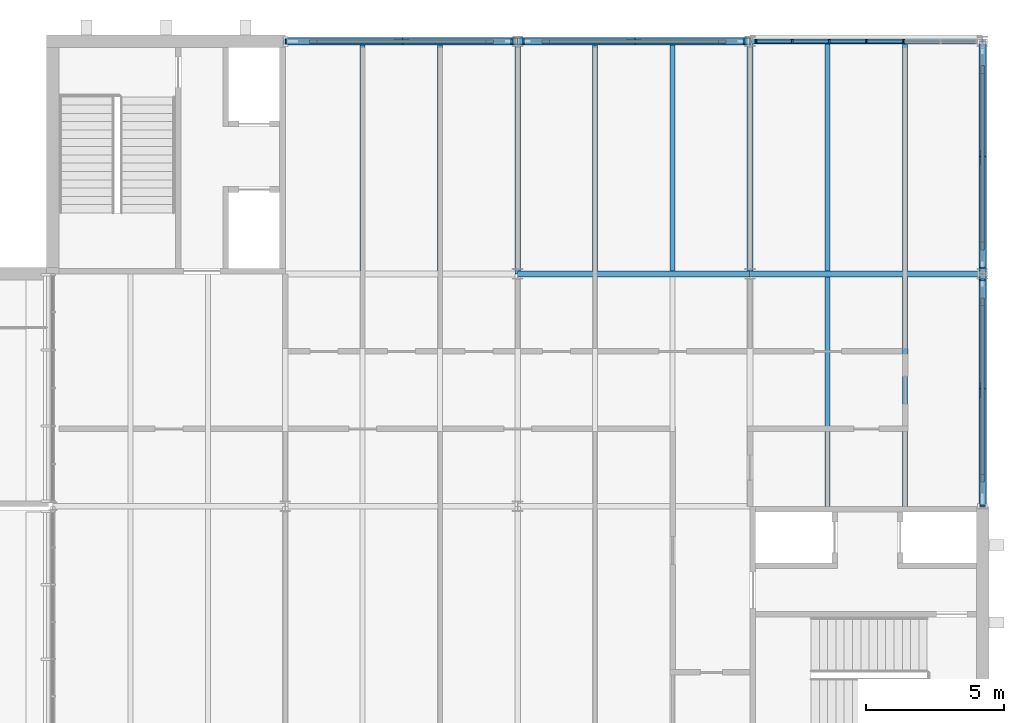
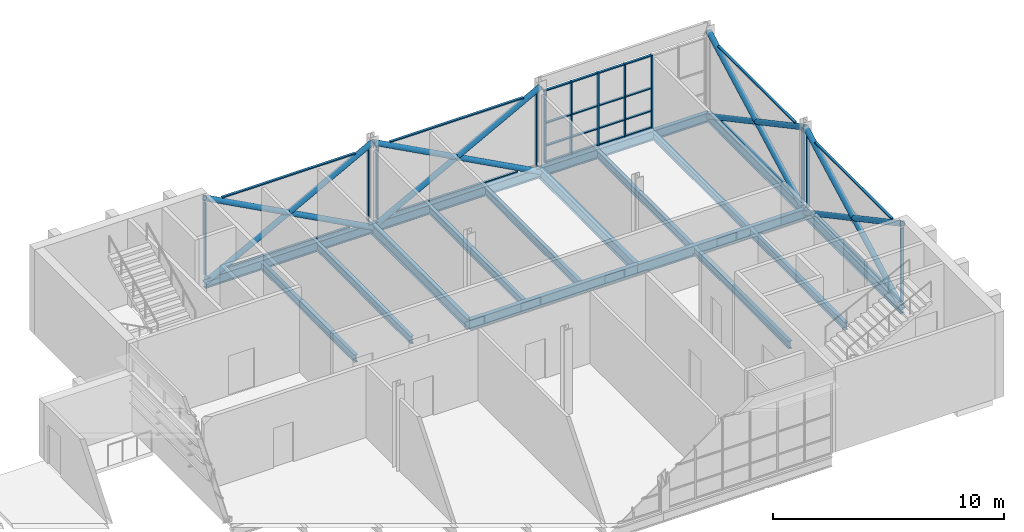
# One storey, part 12 of 29: 48 members, 17 beams, 5 elements without a shape of their own.
"""IFC4 building model written with IfcOpenShell, lengths in metres."""

import ifcopenshell
import ifcopenshell.guid

model = None  # the IFC model being written
_history = None  # IfcOwnerHistory: only IFC2X3 demands one
_inside = {}  # id of a spatial element -> (the spatial element, [elements in it])
_under = {}  # id of a project, library or spatial element -> (it, [spatial elements below it])
_declared = {}  # id of a project -> (the project, [libraries it declares])
_typed = {}  # id of a type object -> (the type object, [elements of that type])
_made_of = {}  # id of a material, layer set ... -> (it, [elements and type objects made of it])


def new_model(schema):
    """Start an empty IFC model of exactly this schema.

    Asked for "IFC4X3", IfcOpenShell would pick the latest addendum, in which some entities
    have other attributes; the version numbers below select the first issue.
    IFC2X3 requires an IfcOwnerHistory on every rooted entity: one is made here for all.
    """
    global model, _history
    if schema == "IFC4X3":
        model = ifcopenshell.file(schema_version=(4, 3, 0, 0))
    else:
        model = ifcopenshell.file(schema=schema)
    _inside.clear()
    _under.clear()
    _declared.clear()
    _typed.clear()
    _made_of.clear()
    _history = None
    if model.schema == "IFC2X3":
        org = make("IfcOrganization", Name="unknown")
        user = make(
            "IfcPersonAndOrganization",
            ThePerson=make("IfcPerson", FamilyName="unknown"),
            TheOrganization=org,
        )
        app = make(
            "IfcApplication",
            ApplicationDeveloper=org,
            Version="unknown",
            ApplicationFullName="unknown",
            ApplicationIdentifier="unknown",
        )
        _history = make(
            "IfcOwnerHistory",
            OwningUser=user,
            OwningApplication=app,
            ChangeAction="ADDED",
            CreationDate=0,
        )
    return model


def make(cls, **values):
    """One entity of the class cls with the attributes given. An attribute that is None is left unset."""
    return model.create_entity(
        cls, **{name: value for name, value in values.items() if value is not None}
    )


def rooted(cls, **values):
    """An entity with a GlobalId (a new one), such as an element, a storey or a relation."""
    return make(cls, GlobalId=ifcopenshell.guid.new(), OwnerHistory=_history, **values)


def si_unit(unit_type, name, prefix=None):
    """IfcSIUnit, for example si_unit("LENGTHUNIT", "METRE", prefix="MILLI")."""
    return make("IfcSIUnit", UnitType=unit_type, Prefix=prefix, Name=name)


def assignment(units):
    """IfcUnitAssignment: the units of a project."""
    return None if units is None else make("IfcUnitAssignment", Units=units)


def point(xyz):
    """IfcCartesianPoint."""
    return None if xyz is None else make("IfcCartesianPoint", Coordinates=xyz)


def direction(xyz):
    """IfcDirection."""
    return None if xyz is None else make("IfcDirection", DirectionRatios=xyz)


def frame(location, z_axis=None, x_axis=None):
    """IfcAxis2Placement3D, a coordinate frame: its origin and axes. An axis left out is left unset."""
    return make(
        "IfcAxis2Placement3D",
        Location=point(location),
        Axis=direction(z_axis),
        RefDirection=direction(x_axis),
    )


def frame_2d(location, x_axis=None):
    """IfcAxis2Placement2D, a coordinate frame in the plane: its origin and x axis."""
    return make(
        "IfcAxis2Placement2D", Location=point(location), RefDirection=direction(x_axis)
    )


def origin():
    """The frame at (0, 0, 0) with its axes left unset."""
    return frame((0.0, 0.0, 0.0))


def origin_2d():
    """The frame at (0, 0) in the plane with its x axis left unset."""
    return frame_2d((0.0, 0.0))


def place(relative_to, where):
    """IfcLocalPlacement: puts the frame where relative to a parent placement (None: the world)."""
    return make(
        "IfcLocalPlacement", PlacementRelTo=relative_to, RelativePlacement=where
    )


def context(
    kind, dimensions, precision=None, world=None, true_north=None, identifier=None
):
    """IfcGeometricRepresentationContext, for example the 3D "Model" context."""
    return make(
        "IfcGeometricRepresentationContext",
        ContextIdentifier=identifier,
        ContextType=kind,
        CoordinateSpaceDimension=dimensions,
        Precision=precision,
        WorldCoordinateSystem=world,
        TrueNorth=true_north,
    )


def subcontext(parent, identifier, kind, view, scale=None):
    """IfcGeometricRepresentationSubContext, for example "Body" below "Model"."""
    return make(
        "IfcGeometricRepresentationSubContext",
        ContextIdentifier=identifier,
        ContextType=kind,
        ParentContext=parent,
        TargetScale=scale,
        TargetView=view,
    )


def project(units=None, contexts=None):
    """IfcProject with its units and contexts."""
    return rooted(
        "IfcProject",
        Name="project",
        RepresentationContexts=contexts,
        UnitsInContext=assignment(units),
    )


def spatial(cls, under=None, at=None, **own):
    """A site, building, storey or space (cls), placed at a placement, below another one or the project."""
    s = rooted(cls, ObjectPlacement=at, **own)
    if under is not None:
        _under.setdefault(under.id(), (under, []))[1].append(s)
    return s


def profile(cls, at=None, kind="AREA", **sizes):
    """A parametric profile (cls). Its sizes go by their IFC names, for example OverallWidth=200.0."""
    return make(cls, ProfileType=kind, Position=at, **sizes)


def rectangle(**sizes):
    """IfcRectangleProfileDef."""
    return profile("IfcRectangleProfileDef", **sizes)


def hollow_circle(**sizes):
    """IfcCircleHollowProfileDef."""
    return profile("IfcCircleHollowProfileDef", **sizes)


def i_section(**sizes):
    """IfcIShapeProfileDef."""
    return profile("IfcIShapeProfileDef", **sizes)


def extrude(swept, where, along, depth):
    """IfcExtrudedAreaSolid: the profile swept, set in the frame where, extruded along a direction by depth."""
    return make(
        "IfcExtrudedAreaSolid",
        SweptArea=swept,
        Position=where,
        ExtrudedDirection=direction(along),
        Depth=depth,
    )


def shape(context_of_items, identifier, shape_type, items):
    """IfcShapeRepresentation: the items that make up one representation, for example the "Body"."""
    return make(
        "IfcShapeRepresentation",
        ContextOfItems=context_of_items,
        RepresentationIdentifier=identifier,
        RepresentationType=shape_type,
        Items=items,
    )


def material(Name=None, Category=None):
    """IfcMaterial."""
    return make("IfcMaterial", Name=Name, Category=Category)


def layer(
    of_material, thickness, ventilated=None, Name=None, Category=None, Priority=None
):
    """IfcMaterialLayer: one layer of a wall or slab, of a material (None: an air gap)."""
    return make(
        "IfcMaterialLayer",
        Material=of_material,
        LayerThickness=thickness,
        IsVentilated=ventilated,
        Name=Name,
        Category=Category,
        Priority=Priority,
    )


def layer_set(layers, Name=None):
    """IfcMaterialLayerSet."""
    return make("IfcMaterialLayerSet", MaterialLayers=layers, LayerSetName=Name)


def material_profile(
    of_material, cross_section, Name=None, Category=None, Priority=None
):
    """IfcMaterialProfile: a cross section and its material."""
    return make(
        "IfcMaterialProfile",
        Name=Name,
        Material=of_material,
        Profile=cross_section,
        Priority=Priority,
        Category=Category,
    )


def profile_set(profiles, Name=None, composite=None):
    """IfcMaterialProfileSet."""
    return make(
        "IfcMaterialProfileSet",
        Name=Name,
        MaterialProfiles=profiles,
        CompositeProfile=composite,
    )


def made_of(thing, what):
    """Note that an element or type object is made of a material, layer set ...; save() writes the relation."""
    if what is not None:
        _made_of.setdefault(what.id(), (what, []))[1].append(thing)
    return thing


def type_object(cls, material=None, **own):
    """A type object (cls), such as IfcWallType, which elements share."""
    return made_of(rooted(cls, **own), material)


def element(
    cls,
    number,
    at=None,
    inside=None,
    cuts=None,
    type_object=None,
    material=None,
    context=None,
    identifier="Body",
    shape_type=None,
    held_by="IfcProductDefinitionShape",
    body=None,
    shapes=None,
    **own,
):
    """One element of the class cls, such as IfcWall. Its Tag is "e" and its number.

    at: its placement. inside: the storey or other place that contains it. cuts: it is an
    opening in that element (IfcRelVoidsElement). A single representation is given by context,
    identifier, shape_type and body (its items); several are given by shapes. held_by: the class
    of the entity that holds the representations. save() writes the other relations.
    """
    e = rooted(cls, Tag="e%d" % number, ObjectPlacement=at, **own)
    if body is not None:
        shapes = [shape(context, identifier, shape_type, body)]
    if shapes is not None:
        e.Representation = make(held_by, Representations=shapes)
    if inside is not None:
        _inside.setdefault(inside.id(), (inside, []))[1].append(e)
    if cuts is not None:
        rooted(
            "IfcRelVoidsElement", RelatingBuildingElement=cuts, RelatedOpeningElement=e
        )
    if type_object is not None:
        _typed.setdefault(type_object.id(), (type_object, []))[1].append(e)
    return made_of(e, material)


def aggregate(whole, parts):
    """IfcRelAggregates: a whole, such as a stair, and the parts it consists of."""
    return rooted("IfcRelAggregates", RelatingObject=whole, RelatedObjects=parts)


def save(model, path):
    """Write the relations noted so far, then the file.

    IfcRelAggregates (storeys below a building ...), IfcRelContainedInSpatialStructure (elements
    in a storey), IfcRelDefinesByType, IfcRelAssociatesMaterial and IfcRelDeclares: one each for
    every whole, place, type object, material and project.
    """
    for whole, parts in _under.values():
        aggregate(whole, parts)
    for where, things in _inside.values():
        rooted(
            "IfcRelContainedInSpatialStructure",
            RelatedElements=things,
            RelatingStructure=where,
        )
    for kind, things in _typed.values():
        rooted("IfcRelDefinesByType", RelatedObjects=things, RelatingType=kind)
    for what, things in _made_of.values():
        rooted("IfcRelAssociatesMaterial", RelatedObjects=things, RelatingMaterial=what)
    for by, libraries in _declared.values():
        rooted("IfcRelDeclares", RelatingContext=by, RelatedDefinitions=libraries)
    model.write(path)


model = new_model("IFC4")

# Units and contexts
model_context = context("Model", 3, precision=1e-05, world=origin(), true_north=direction((0.0, 1.0)))
body_context = subcontext(model_context, "Body", "Model", "MODEL_VIEW")
ifc_project = project(units=[si_unit("LENGTHUNIT", "METRE"), si_unit("AREAUNIT", "SQUARE_METRE"), si_unit("VOLUMEUNIT", "CUBIC_METRE"), si_unit("PLANEANGLEUNIT", "RADIAN"), si_unit("MASSUNIT", "GRAM", prefix="KILO")], contexts=[model_context])

# Site, building, storey
site_placement = place(None, origin())
site = spatial("IfcSite", under=ifc_project, at=site_placement, CompositionType="ELEMENT")
building_placement = place(site_placement, origin())
building = spatial("IfcBuilding", under=site, at=building_placement, Name="Ardhachandra Cancer Care Centre", CompositionType="ELEMENT")
storey_placement = place(building_placement, frame((0.0, 0.0, 13.5)))
storey = spatial("IfcBuildingStorey", under=building, at=storey_placement, Name="L03", CompositionType="ELEMENT", Elevation=13.5)

# Beams
ifc_material_1 = material(Name="Steel E350 (IS 2062)", Category="steel")
ifc_material_profile_1 = material_profile(ifc_material_1, i_section(OverallWidth=0.179931640625, OverallDepth=0.39990234375, WebThickness=0.008544921875, FlangeThickness=0.013427734375, FilletRadius=0.02099609375, at=origin_2d()), Name="NPB 400x180x66.30")
ifc_profile_set_1 = profile_set([ifc_material_profile_1], Name="Steel E350 (IS 2062)")
beam_type_1 = type_object("IfcBeamType", Name="Beam NPB 400x180x66.30", PredefinedType="BEAM", material=ifc_profile_set_1)
for number, where, z_axis, x_axis, name in (
    (1, (122.800048828125, 96.705078125, -0.35009765625), (0.0, 1.0, 0.0), (-1.0, 0.0, 0.0), "Secondary L14-M14@2800"),
    (2, (125.60009765625, 96.705078125, -0.35009765625), (0.0, 1.0, 0.0), (-1.0, 0.0, 0.0), "Secondary L14-M14@5600"),
    (3, (131.199951171875, 96.705078125, -0.35009765625), (0.0, 1.0, 0.0), (-1.0, 0.0, 0.0), "Secondary L15-M15@2800"),
    (4, (134.0, 96.705078125, -0.35009765625), (0.0, 1.0, 0.0), (-1.0, 0.0, 0.0), "Secondary L15-M15@5600"),
):
    element("IfcBeam", number, at=place(storey_placement, frame(where, z_axis=z_axis, x_axis=x_axis)), inside=storey, type_object=beam_type_1, Name=name, PredefinedType="BEAM", context=body_context, shape_type="SweptSolid", body=[
        extrude(i_section(OverallWidth=0.179931640625, OverallDepth=0.39990234375, WebThickness=0.008544921875, FlangeThickness=0.013427734375, FilletRadius=0.02099609375, at=origin_2d()), origin(), (0.0, 0.0, 1.0), 8.19482421875),
    ])
beam_1_placement = place(storey_placement, frame((139.60009765625, 88.199951171875, -0.35009765625), z_axis=(0.0, 1.0, 0.0), x_axis=(-1.0, 0.0, 0.0)))
element("IfcBeam", 5, at=beam_1_placement, inside=storey, type_object=beam_type_1, Name="Secondary K16-L16@2800", PredefinedType="BEAM", context=body_context, shape_type="SweptSolid", body=[
    extrude(i_section(OverallWidth=0.179931640625, OverallDepth=0.39990234375, WebThickness=0.008544921875, FlangeThickness=0.013427734375, FilletRadius=0.02099609375, at=origin_2d()), origin(), (0.0, 0.0, 1.0), 8.295166015625),
])
beam_2_placement = place(storey_placement, frame((139.60009765625, 96.705078125, -0.35009765625), z_axis=(0.0, 1.0, 0.0), x_axis=(-1.0, 0.0, 0.0)))
element("IfcBeam", 6, at=beam_2_placement, inside=storey, type_object=beam_type_1, Name="Secondary L16-M16@2800", PredefinedType="BEAM", context=body_context, shape_type="SweptSolid", body=[
    extrude(i_section(OverallWidth=0.179931640625, OverallDepth=0.39990234375, WebThickness=0.008544921875, FlangeThickness=0.013427734375, FilletRadius=0.02099609375, at=origin_2d()), origin(), (0.0, 0.0, 1.0), 8.19482421875),
])
beam_3_placement = place(storey_placement, frame((142.39990234375, 88.199951171875, -0.35009765625), z_axis=(0.0, 1.0, 0.0), x_axis=(-1.0, 0.0, 0.0)))
element("IfcBeam", 7, at=beam_3_placement, inside=storey, type_object=beam_type_1, Name="Secondary K16-L16@5600", PredefinedType="BEAM", context=body_context, shape_type="SweptSolid", body=[
    extrude(i_section(OverallWidth=0.179931640625, OverallDepth=0.39990234375, WebThickness=0.008544921875, FlangeThickness=0.013427734375, FilletRadius=0.02099609375, at=origin_2d()), origin(), (0.0, 0.0, 1.0), 8.295166015625),
])
beam_4_placement = place(storey_placement, frame((142.39990234375, 96.705078125, -0.35009765625), z_axis=(0.0, 1.0, 0.0), x_axis=(-1.0, 0.0, 0.0)))
element("IfcBeam", 8, at=beam_4_placement, inside=storey, type_object=beam_type_1, Name="Secondary L16-M16@5600", PredefinedType="BEAM", context=body_context, shape_type="SweptSolid", body=[
    extrude(i_section(OverallWidth=0.179931640625, OverallDepth=0.39990234375, WebThickness=0.008544921875, FlangeThickness=0.013427734375, FilletRadius=0.02099609375, at=origin_2d()), origin(), (0.0, 0.0, 1.0), 8.19482421875),
])
ifc_material_2 = material(Name="Steel E350 (IS 2062)", Category="steel")
ifc_material_profile_2 = material_profile(ifc_material_2, i_section(OverallWidth=0.199951171875, OverallDepth=0.5, WebThickness=0.01025390625, FlangeThickness=0.01611328125, FilletRadius=0.02099609375, at=origin_2d()), Name="NPB 500x200x90.68")
ifc_profile_set_2 = profile_set([ifc_material_profile_2], Name="Steel E350 (IS 2062)")
beam_type_2 = type_object("IfcBeamType", Name="Beam NPB 500x200x90.68", PredefinedType="BEAM", material=ifc_profile_set_2)
beam_5_placement = place(storey_placement, frame((120.0, 105.0, -0.39990234375), z_axis=(1.0, 0.0, 0.0), x_axis=(0.0, 1.0, 0.0)))
element("IfcBeam", 9, at=beam_5_placement, inside=storey, type_object=beam_type_2, Name="Edge girder M14-M15", PredefinedType="BEAM", context=body_context, shape_type="SweptSolid", body=[
    extrude(i_section(OverallWidth=0.199951171875, OverallDepth=0.5, WebThickness=0.01025390625, FlangeThickness=0.01611328125, FilletRadius=0.02099609375, at=origin_2d()), origin(), (0.0, 0.0, 1.0), 8.39990234375),
])
beam_6_placement = place(storey_placement, frame((128.39990234375, 105.0, -0.39990234375), z_axis=(1.0, 0.0, 0.0), x_axis=(0.0, 1.0, 0.0)))
element("IfcBeam", 10, at=beam_6_placement, inside=storey, type_object=beam_type_2, Name="Edge girder M15-M16", PredefinedType="BEAM", context=body_context, shape_type="SweptSolid", body=[
    extrude(i_section(OverallWidth=0.199951171875, OverallDepth=0.5, WebThickness=0.01025390625, FlangeThickness=0.01611328125, FilletRadius=0.02099609375, at=origin_2d()), origin(), (0.0, 0.0, 1.0), 8.400146484375),
])
beam_7_placement = place(storey_placement, frame((136.800048828125, 105.0, -0.39990234375), z_axis=(1.0, 0.0, 0.0), x_axis=(0.0, 1.0, 0.0)))
element("IfcBeam", 11, at=beam_7_placement, inside=storey, type_object=beam_type_2, Name="Edge girder M16-M17", PredefinedType="BEAM", context=body_context, shape_type="SweptSolid", body=[
    extrude(i_section(OverallWidth=0.199951171875, OverallDepth=0.5, WebThickness=0.01025390625, FlangeThickness=0.01611328125, FilletRadius=0.02099609375, at=origin_2d()), origin(), (0.0, 0.0, 1.0), 8.39990234375),
])
beam_8_placement = place(storey_placement, frame((145.199951171875, 88.199951171875, -0.39990234375), z_axis=(0.0, 1.0, 0.0), x_axis=(-1.0, 0.0, 0.0)))
element("IfcBeam", 12, at=beam_8_placement, inside=storey, type_object=beam_type_2, Name="Edge girder K17-L17", PredefinedType="BEAM", context=body_context, shape_type="SweptSolid", body=[
    extrude(i_section(OverallWidth=0.199951171875, OverallDepth=0.5, WebThickness=0.01025390625, FlangeThickness=0.01611328125, FilletRadius=0.02099609375, at=origin_2d()), origin(), (0.0, 0.0, 1.0), 8.400146484375),
])
beam_9_placement = place(storey_placement, frame((145.199951171875, 96.60009765625, -0.39990234375), z_axis=(0.0, 1.0, 0.0), x_axis=(-1.0, 0.0, 0.0)))
element("IfcBeam", 13, at=beam_9_placement, inside=storey, type_object=beam_type_2, Name="Edge girder L17-M17", PredefinedType="BEAM", context=body_context, shape_type="SweptSolid", body=[
    extrude(i_section(OverallWidth=0.199951171875, OverallDepth=0.5, WebThickness=0.01025390625, FlangeThickness=0.01611328125, FilletRadius=0.02099609375, at=origin_2d()), origin(), (0.0, 0.0, 1.0), 8.39990234375),
])
ifc_material_3 = material(Name="Steel E350 (IS 2062)", Category="steel")
ifc_material_profile_3 = material_profile(ifc_material_3, i_section(OverallWidth=0.2099609375, OverallDepth=0.550048828125, WebThickness=0.010986328125, FlangeThickness=0.01708984375, FilletRadius=0.02392578125, at=origin_2d()), Name="NPB 550x210x105.52")
ifc_profile_set_3 = profile_set([ifc_material_profile_3], Name="Steel E350 (IS 2062)")
beam_type_3 = type_object("IfcBeamType", Name="Beam NPB 550x210x105.52", PredefinedType="BEAM", material=ifc_profile_set_3)
beam_10_placement = place(storey_placement, frame((128.39990234375, 96.60009765625, -0.425048828125), z_axis=(1.0, 0.0, 0.0), x_axis=(0.0, 1.0, 0.0)))
element("IfcBeam", 14, at=beam_10_placement, inside=storey, type_object=beam_type_3, Name="Girder L15-L16", PredefinedType="BEAM", context=body_context, shape_type="SweptSolid", body=[
    extrude(i_section(OverallWidth=0.2099609375, OverallDepth=0.550048828125, WebThickness=0.010986328125, FlangeThickness=0.01708984375, FilletRadius=0.02392578125, at=origin_2d()), origin(), (0.0, 0.0, 1.0), 8.400146484375),
])
for number, where, z_axis, x_axis, name in (
    (15, (136.800048828125, 96.60009765625, -0.425048828125), (1.0, 0.0, 0.0), (0.0, 1.0, 0.0), "Girder L16-L17"),
    (16, (128.39990234375, 96.60009765625, -0.425048828125), (0.0, 1.0, 0.0), (-1.0, 0.0, 0.0), "Girder L15-M15"),
    (17, (136.800048828125, 96.60009765625, -0.425048828125), (0.0, 1.0, 0.0), (-1.0, 0.0, 0.0), "Girder L16-M16"),
):
    element("IfcBeam", number, at=place(storey_placement, frame(where, z_axis=z_axis, x_axis=x_axis)), inside=storey, type_object=beam_type_3, Name=name, PredefinedType="BEAM", context=body_context, shape_type="SweptSolid", body=[
        extrude(i_section(OverallWidth=0.2099609375, OverallDepth=0.550048828125, WebThickness=0.010986328125, FlangeThickness=0.01708984375, FilletRadius=0.02392578125, at=origin_2d()), origin(), (0.0, 0.0, 1.0), 8.39990234375),
    ])

# Members
ifc_material_4 = material(Name="Steel E350 (IS 2062)", Category="steel")
ifc_material_profile_4 = material_profile(ifc_material_4, hollow_circle(Radius=0.136474609375, WallThickness=0.012451171875, at=origin_2d()), Name="CHS 273x12.5")
ifc_profile_set_4 = profile_set([ifc_material_profile_4], Name="Steel E350 (IS 2062)")
member_type_1 = type_object("IfcMemberType", Name="Brace CHS 273x12.5", PredefinedType="BRACE", material=ifc_profile_set_4)
member_1_placement = place(storey_placement, frame((120.0, 105.0, -0.39990234375), z_axis=(0.881477684796, 0.0, 0.472225678258), x_axis=(0.0, 1.0, 0.0)))
element("IfcMember", 18, at=member_1_placement, inside=storey, type_object=member_type_1, Name="Brace V5-X1050-1200 L03 A", PredefinedType="BRACE", context=body_context, shape_type="SweptSolid", body=[
    extrude(hollow_circle(Radius=0.136474609375, WallThickness=0.012451171875, at=origin_2d()), origin(), (0.0, 0.0, 1.0), 9.529296875),
])
for number, where, z_axis, x_axis, name in (
    (19, (128.39990234375, 105.0, -0.39990234375), (-0.881477684796, 0.0, 0.472225678258), (0.0, -1.0, 0.0), "Brace V5-X1050-1200 L03 B1"),
    (20, (124.199951171875, 105.0, 1.85009765625), (-0.881477684796, 0.0, 0.472225678258), (0.0, -1.0, 0.0), "Brace V5-X1050-1200 L03 B2"),
):
    element("IfcMember", number, at=place(storey_placement, frame(where, z_axis=z_axis, x_axis=x_axis)), inside=storey, type_object=member_type_1, Name=name, PredefinedType="BRACE", context=body_context, shape_type="SweptSolid", body=[
        extrude(hollow_circle(Radius=0.136474609375, WallThickness=0.012451171875, at=origin_2d()), origin(), (0.0, 0.0, 1.0), 4.7646484375),
    ])
member_2_placement = place(storey_placement, frame((128.39990234375, 105.0, -0.39990234375), z_axis=(0.881483397762, 0.0, 0.472215014025), x_axis=(0.0, 1.0, 0.0)))
element("IfcMember", 21, at=member_2_placement, inside=storey, type_object=member_type_1, Name="Brace V5-X1050-1284 L03 A", PredefinedType="BRACE", context=body_context, shape_type="SweptSolid", body=[
    extrude(hollow_circle(Radius=0.136474609375, WallThickness=0.012451171875, at=origin_2d()), origin(), (0.0, 0.0, 1.0), 9.529541015625),
])
member_3_placement = place(storey_placement, frame((136.800048828125, 105.0, -0.39990234375), z_axis=(-0.881477684796, 0.0, 0.472225678258), x_axis=(0.0, -1.0, 0.0)))
element("IfcMember", 22, at=member_3_placement, inside=storey, type_object=member_type_1, Name="Brace V5-X1050-1284 L03 B1", PredefinedType="BRACE", context=body_context, shape_type="SweptSolid", body=[
    extrude(hollow_circle(Radius=0.136474609375, WallThickness=0.012451171875, at=origin_2d()), origin(), (0.0, 0.0, 1.0), 4.7646484375),
])
member_4_placement = place(storey_placement, frame((132.60009765625, 105.0, 1.85009765625), z_axis=(-0.881489110341, 0.0, 0.472204350203), x_axis=(0.0, -1.0, 0.0)))
element("IfcMember", 23, at=member_4_placement, inside=storey, type_object=member_type_1, Name="Brace V5-X1050-1284 L03 B2", PredefinedType="BRACE", context=body_context, shape_type="SweptSolid", body=[
    extrude(hollow_circle(Radius=0.136474609375, WallThickness=0.012451171875, at=origin_2d()), origin(), (0.0, 0.0, 1.0), 4.764892578125),
])
member_5_placement = place(storey_placement, frame((145.199951171875, 88.199951171875, -0.39990234375), z_axis=(0.0, 0.881483397762, 0.472215014025), x_axis=(-1.0, 0.0, 0.0)))
element("IfcMember", 24, at=member_5_placement, inside=storey, type_object=member_type_1, Name="Brace V5-Y1452-882 L03 A", PredefinedType="BRACE", context=body_context, shape_type="SweptSolid", body=[
    extrude(hollow_circle(Radius=0.136474609375, WallThickness=0.012451171875, at=origin_2d()), origin(), (0.0, 0.0, 1.0), 9.529541015625),
])
member_6_placement = place(storey_placement, frame((145.199951171875, 96.60009765625, -0.39990234375), z_axis=(0.0, -0.881489110341, 0.472204350203), x_axis=(1.0, 0.0, 0.0)))
element("IfcMember", 25, at=member_6_placement, inside=storey, type_object=member_type_1, Name="Brace V5-Y1452-882 L03 B1", PredefinedType="BRACE", context=body_context, shape_type="SweptSolid", body=[
    extrude(hollow_circle(Radius=0.136474609375, WallThickness=0.012451171875, at=origin_2d()), origin(), (0.0, 0.0, 1.0), 4.764892578125),
])
member_7_placement = place(storey_placement, frame((145.199951171875, 92.39990234375, 1.85009765625), z_axis=(0.0, -0.881477684796, 0.472225678258), x_axis=(1.0, 0.0, 0.0)))
element("IfcMember", 26, at=member_7_placement, inside=storey, type_object=member_type_1, Name="Brace V5-Y1452-882 L03 B2", PredefinedType="BRACE", context=body_context, shape_type="SweptSolid", body=[
    extrude(hollow_circle(Radius=0.136474609375, WallThickness=0.012451171875, at=origin_2d()), origin(), (0.0, 0.0, 1.0), 4.7646484375),
])
member_8_placement = place(storey_placement, frame((145.199951171875, 96.60009765625, -0.39990234375), z_axis=(0.0, 0.881477684796, 0.472225678258), x_axis=(-1.0, 0.0, 0.0)))
element("IfcMember", 27, at=member_8_placement, inside=storey, type_object=member_type_1, Name="Brace V5-Y1452-966 L03 A", PredefinedType="BRACE", context=body_context, shape_type="SweptSolid", body=[
    extrude(hollow_circle(Radius=0.136474609375, WallThickness=0.012451171875, at=origin_2d()), origin(), (0.0, 0.0, 1.0), 9.529296875),
])
for number, where, z_axis, x_axis, name in (
    (28, (145.199951171875, 105.0, -0.39990234375), (0.0, -0.881477684796, 0.472225678258), (1.0, 0.0, 0.0), "Brace V5-Y1452-966 L03 B1"),
    (29, (145.199951171875, 100.800048828125, 1.85009765625), (0.0, -0.881477684796, 0.472225678258), (1.0, 0.0, 0.0), "Brace V5-Y1452-966 L03 B2"),
):
    element("IfcMember", number, at=place(storey_placement, frame(where, z_axis=z_axis, x_axis=x_axis)), inside=storey, type_object=member_type_1, Name=name, PredefinedType="BRACE", context=body_context, shape_type="SweptSolid", body=[
        extrude(hollow_circle(Radius=0.136474609375, WallThickness=0.012451171875, at=origin_2d()), origin(), (0.0, 0.0, 1.0), 4.7646484375),
    ])

# Curtain wall, members
ifc_material_5 = material(Name="Aluminium extrusion", Category="aluminium")
ifc_layer = layer(ifc_material_5, 0.14990234375)
ifc_layer_set = layer_set([ifc_layer], Name="Aluminium extrusion")
curtain_wall_type = type_object("IfcCurtainWallType", Name="Curtain wall run", PredefinedType="NOTDEFINED", material=ifc_layer_set)
curtain_wall_1_placement = place(storey_placement, origin())
curtain_wall_1 = element("IfcCurtainWall", 30, at=curtain_wall_1_placement, inside=storey, type_object=curtain_wall_type, Name="Curtain wall L03 e/0145200_0088200", PredefinedType="NOTDEFINED")
ifc_material_6 = material(Name="Aluminium extrusion", Category="aluminium")
ifc_material_profile_5 = material_profile(ifc_material_6, rectangle(XDim=0.159912109375, YDim=0.06005859375, at=origin_2d()), Name="Curtain wall mullion 60 x 160")
ifc_profile_set_5 = profile_set([ifc_material_profile_5], Name="Aluminium extrusion")
member_type_2 = type_object("IfcMemberType", Name="Curtain wall mullion 60 x 160", PredefinedType="MULLION", material=ifc_profile_set_5)
member_9_placement = place(storey_placement, frame((145.199951171875, 88.22998046875, 0.0), z_axis=(0.0, 0.0, 1.0), x_axis=(-1.0, 0.0, 0.0)))
member_9 = element("IfcMember", 31, at=member_9_placement, type_object=member_type_2, Name="CW mullion 1", PredefinedType="MULLION", context=body_context, shape_type="SweptSolid", body=[
    extrude(rectangle(XDim=0.159912109375, YDim=0.06005859375, at=origin_2d()), origin(), (0.0, 0.0, 1.0), 3.85009765625),
])
member_10_placement = place(storey_placement, frame((145.199951171875, 96.387939453125, 0.0), z_axis=(0.0, 0.0, 1.0), x_axis=(-1.0, 0.0, 0.0)))
member_10 = element("IfcMember", 32, at=member_10_placement, type_object=member_type_2, Name="CW mullion 2", PredefinedType="MULLION", context=body_context, shape_type="SweptSolid", body=[
    extrude(rectangle(XDim=0.159912109375, YDim=0.06005859375, at=origin_2d()), origin(), (0.0, 0.0, 1.0), 3.8134765625),
])

# Curtain wall, member
curtain_wall_2_placement = place(storey_placement, origin())
curtain_wall_2 = element("IfcCurtainWall", 33, at=curtain_wall_2_placement, inside=storey, type_object=curtain_wall_type, Name="Curtain wall L03 e/0145200_0096600", PredefinedType="NOTDEFINED")
member_11_placement = place(storey_placement, frame((145.199951171875, 96.81201171875, 0.0), z_axis=(0.0, 0.0, 1.0), x_axis=(-1.0, 0.0, 0.0)))
member_11 = element("IfcMember", 34, at=member_11_placement, type_object=member_type_2, Name="CW mullion 1", PredefinedType="MULLION", context=body_context, shape_type="SweptSolid", body=[
    extrude(rectangle(XDim=0.159912109375, YDim=0.06005859375, at=origin_2d()), origin(), (0.0, 0.0, 1.0), 3.8134765625),
])

# Curtain wall, members
curtain_wall_3_placement = place(storey_placement, origin())
curtain_wall_3 = element("IfcCurtainWall", 35, at=curtain_wall_3_placement, inside=storey, type_object=curtain_wall_type, Name="Curtain wall L03 n/0120000_0105000", PredefinedType="NOTDEFINED")
member_12_placement = place(storey_placement, frame((120.030029296875, 105.0, 0.0), z_axis=(0.0, 0.0, 1.0), x_axis=(0.0, 1.0, 0.0)))
member_12 = element("IfcMember", 36, at=member_12_placement, type_object=member_type_2, Name="CW mullion 1", PredefinedType="MULLION", context=body_context, shape_type="SweptSolid", body=[
    extrude(rectangle(XDim=0.159912109375, YDim=0.06005859375, at=origin_2d()), origin(), (0.0, 0.0, 1.0), 3.85009765625),
])
member_13_placement = place(storey_placement, frame((128.1845703125, 105.0, 0.0), z_axis=(0.0, 0.0, 1.0), x_axis=(0.0, 1.0, 0.0)))
member_13 = element("IfcMember", 37, at=member_13_placement, type_object=member_type_2, Name="CW mullion 2", PredefinedType="MULLION", context=body_context, shape_type="SweptSolid", body=[
    extrude(rectangle(XDim=0.159912109375, YDim=0.06005859375, at=origin_2d()), origin(), (0.0, 0.0, 1.0), 3.8115234375),
])

curtain_wall_4_placement = place(storey_placement, origin())
curtain_wall_4 = element("IfcCurtainWall", 38, at=curtain_wall_4_placement, inside=storey, type_object=curtain_wall_type, Name="Curtain wall L03 n/0128400_0105000", PredefinedType="NOTDEFINED")
member_14_placement = place(storey_placement, frame((128.615478515625, 105.0, 0.0), z_axis=(0.0, 0.0, 1.0), x_axis=(0.0, 1.0, 0.0)))
member_14 = element("IfcMember", 39, at=member_14_placement, type_object=member_type_2, Name="CW mullion 1", PredefinedType="MULLION", context=body_context, shape_type="SweptSolid", body=[
    extrude(rectangle(XDim=0.159912109375, YDim=0.06005859375, at=origin_2d()), origin(), (0.0, 0.0, 1.0), 3.8115234375),
])
member_15_placement = place(storey_placement, frame((136.58447265625, 105.0, 0.0), z_axis=(0.0, 0.0, 1.0), x_axis=(0.0, 1.0, 0.0)))
member_15 = element("IfcMember", 40, at=member_15_placement, type_object=member_type_2, Name="CW mullion 2", PredefinedType="MULLION", context=body_context, shape_type="SweptSolid", body=[
    extrude(rectangle(XDim=0.159912109375, YDim=0.06005859375, at=origin_2d()), origin(), (0.0, 0.0, 1.0), 3.8115234375),
])

curtain_wall_5_placement = place(storey_placement, origin())
curtain_wall_5 = element("IfcCurtainWall", 41, at=curtain_wall_5_placement, inside=storey, type_object=curtain_wall_type, Name="Curtain wall L03 n/0136800_0105000", PredefinedType="NOTDEFINED")
member_16_placement = place(storey_placement, frame((137.015380859375, 105.0, 0.0), z_axis=(0.0, 0.0, 1.0), x_axis=(0.0, 1.0, 0.0)))
member_16 = element("IfcMember", 42, at=member_16_placement, type_object=member_type_2, Name="CW mullion 1", PredefinedType="MULLION", context=body_context, shape_type="SweptSolid", body=[
    extrude(rectangle(XDim=0.159912109375, YDim=0.06005859375, at=origin_2d()), origin(), (0.0, 0.0, 1.0), 3.85009765625),
])
member_17_placement = place(storey_placement, frame((138.32373046875, 105.0, 0.0), z_axis=(0.0, 0.0, 1.0), x_axis=(0.0, 1.0, 0.0)))
member_17 = element("IfcMember", 43, at=member_17_placement, type_object=member_type_2, Name="CW mullion 2", PredefinedType="MULLION", context=body_context, shape_type="SweptSolid", body=[
    extrude(rectangle(XDim=0.159912109375, YDim=0.06005859375, at=origin_2d()), origin(), (0.0, 0.0, 1.0), 3.85009765625),
])
member_18_placement = place(storey_placement, frame((139.661865234375, 105.0, 0.0), z_axis=(0.0, 0.0, 1.0), x_axis=(0.0, 1.0, 0.0)))
member_18 = element("IfcMember", 44, at=member_18_placement, type_object=member_type_2, Name="CW mullion 3", PredefinedType="MULLION", context=body_context, shape_type="SweptSolid", body=[
    extrude(rectangle(XDim=0.159912109375, YDim=0.06005859375, at=origin_2d()), origin(), (0.0, 0.0, 1.0), 3.85009765625),
])
member_19_placement = place(storey_placement, frame((141.0, 105.0, 0.0), z_axis=(0.0, 0.0, 1.0), x_axis=(0.0, 1.0, 0.0)))
member_19 = element("IfcMember", 45, at=member_19_placement, type_object=member_type_2, Name="CW mullion 4", PredefinedType="MULLION", context=body_context, shape_type="SweptSolid", body=[
    extrude(rectangle(XDim=0.159912109375, YDim=0.06005859375, at=origin_2d()), origin(), (0.0, 0.0, 1.0), 3.85009765625),
])
member_20_placement = place(storey_placement, frame((142.338134765625, 105.0, 0.0), z_axis=(0.0, 0.0, 1.0), x_axis=(0.0, 1.0, 0.0)))
member_20 = element("IfcMember", 46, at=member_20_placement, type_object=member_type_2, Name="CW mullion 5", PredefinedType="MULLION", context=body_context, shape_type="SweptSolid", body=[
    extrude(rectangle(XDim=0.159912109375, YDim=0.06005859375, at=origin_2d()), origin(), (0.0, 0.0, 1.0), 3.85009765625),
])

# Member
ifc_material_7 = material(Name="Aluminium extrusion", Category="aluminium")
ifc_material_profile_6 = material_profile(ifc_material_7, rectangle(XDim=0.1201171875, YDim=0.06005859375, at=origin_2d()), Name="Curtain wall transom 60 x 120")
ifc_profile_set_6 = profile_set([ifc_material_profile_6], Name="Aluminium extrusion")
member_type_3 = type_object("IfcMemberType", Name="Curtain wall transom 60 x 120", PredefinedType="USERDEFINED", material=ifc_profile_set_6)
member_21_placement = place(storey_placement, frame((145.199951171875, 89.350830078125, 0.030029296875), z_axis=(0.0, 1.0, 0.0), x_axis=(-1.0, 0.0, 0.0)))
member_21 = element("IfcMember", 47, at=member_21_placement, type_object=member_type_3, Name="CW transom 1.1", ObjectType="TRANSOM", PredefinedType="USERDEFINED", context=body_context, shape_type="SweptSolid", body=[
    extrude(rectangle(XDim=0.1201171875, YDim=0.06005859375, at=origin_2d()), origin(), (0.0, 0.0, 1.0), 6.099365234375),
])

member_22_placement = place(storey_placement, frame((145.199951171875, 89.07080078125, 3.820068359375), z_axis=(0.0, 1.0, 0.0), x_axis=(-1.0, 0.0, 0.0)))
member_22 = element("IfcMember", 48, at=member_22_placement, type_object=member_type_3, Name="CW transom 1.2", ObjectType="TRANSOM", PredefinedType="USERDEFINED", context=body_context, shape_type="SweptSolid", body=[
    extrude(rectangle(XDim=0.1201171875, YDim=0.06005859375, at=origin_2d()), origin(), (0.0, 0.0, 1.0), 6.659423828125),
])

aggregate(curtain_wall_1, [member_9, member_10, member_21, member_22])

member_23_placement = place(storey_placement, frame((145.199951171875, 97.749755859375, 0.030029296875), z_axis=(0.0, 1.0, 0.0), x_axis=(-1.0, 0.0, 0.0)))
member_23 = element("IfcMember", 49, at=member_23_placement, type_object=member_type_3, Name="CW transom 1.1", ObjectType="TRANSOM", PredefinedType="USERDEFINED", context=body_context, shape_type="SweptSolid", body=[
    extrude(rectangle(XDim=0.1201171875, YDim=0.06005859375, at=origin_2d()), origin(), (0.0, 0.0, 1.0), 6.100341796875),
])

member_24_placement = place(storey_placement, frame((145.199951171875, 97.470947265625, 3.820068359375), z_axis=(0.0, 1.0, 0.0), x_axis=(-1.0, 0.0, 0.0)))
member_24 = element("IfcMember", 50, at=member_24_placement, type_object=member_type_3, Name="CW transom 1.2", ObjectType="TRANSOM", PredefinedType="USERDEFINED", context=body_context, shape_type="SweptSolid", body=[
    extrude(rectangle(XDim=0.1201171875, YDim=0.06005859375, at=origin_2d()), origin(), (0.0, 0.0, 1.0), 6.6591796875),
])

aggregate(curtain_wall_2, [member_11, member_23, member_24])

member_25_placement = place(storey_placement, frame((121.15087890625, 105.0, 0.030029296875), z_axis=(1.0, 0.0, 0.0), x_axis=(0.0, 1.0, 0.0)))
member_25 = element("IfcMember", 51, at=member_25_placement, type_object=member_type_3, Name="CW transom 1.1", ObjectType="TRANSOM", PredefinedType="USERDEFINED", context=body_context, shape_type="SweptSolid", body=[
    extrude(rectangle(XDim=0.1201171875, YDim=0.06005859375, at=origin_2d()), origin(), (0.0, 0.0, 1.0), 6.099365234375),
])

member_26_placement = place(storey_placement, frame((120.870849609375, 105.0, 3.820068359375), z_axis=(1.0, 0.0, 0.0), x_axis=(0.0, 1.0, 0.0)))
member_26 = element("IfcMember", 52, at=member_26_placement, type_object=member_type_3, Name="CW transom 1.2", ObjectType="TRANSOM", PredefinedType="USERDEFINED", context=body_context, shape_type="SweptSolid", body=[
    extrude(rectangle(XDim=0.1201171875, YDim=0.06005859375, at=origin_2d()), origin(), (0.0, 0.0, 1.0), 6.659423828125),
])

aggregate(curtain_wall_3, [member_12, member_13, member_25, member_26])

member_27_placement = place(storey_placement, frame((129.5498046875, 105.0, 0.030029296875), z_axis=(1.0, 0.0, 0.0), x_axis=(0.0, 1.0, 0.0)))
member_27 = element("IfcMember", 53, at=member_27_placement, type_object=member_type_3, Name="CW transom 1.1", ObjectType="TRANSOM", PredefinedType="USERDEFINED", context=body_context, shape_type="SweptSolid", body=[
    extrude(rectangle(XDim=0.1201171875, YDim=0.06005859375, at=origin_2d()), origin(), (0.0, 0.0, 1.0), 6.100341796875),
])

member_28_placement = place(storey_placement, frame((129.270751953125, 105.0, 3.820068359375), z_axis=(1.0, 0.0, 0.0), x_axis=(0.0, 1.0, 0.0)))
member_28 = element("IfcMember", 54, at=member_28_placement, type_object=member_type_3, Name="CW transom 1.2", ObjectType="TRANSOM", PredefinedType="USERDEFINED", context=body_context, shape_type="SweptSolid", body=[
    extrude(rectangle(XDim=0.1201171875, YDim=0.06005859375, at=origin_2d()), origin(), (0.0, 0.0, 1.0), 6.659423828125),
])

aggregate(curtain_wall_4, [member_14, member_15, member_27, member_28])

member_29_placement = place(storey_placement, frame((137.04541015625, 105.0, 0.030029296875), z_axis=(1.0, 0.0, 0.0), x_axis=(0.0, 1.0, 0.0)))
member_29 = element("IfcMember", 55, at=member_29_placement, type_object=member_type_3, Name="CW transom 1.1", ObjectType="TRANSOM", PredefinedType="USERDEFINED", context=body_context, shape_type="SweptSolid", body=[
    extrude(rectangle(XDim=0.1201171875, YDim=0.06005859375, at=origin_2d()), origin(), (0.0, 0.0, 1.0), 1.248291015625),
])

member_30_placement = place(storey_placement, frame((137.04541015625, 105.0, 0.89990234375), z_axis=(1.0, 0.0, 0.0), x_axis=(0.0, 1.0, 0.0)))
member_30 = element("IfcMember", 56, at=member_30_placement, type_object=member_type_3, Name="CW transom 1.2", ObjectType="TRANSOM", PredefinedType="USERDEFINED", context=body_context, shape_type="SweptSolid", body=[
    extrude(rectangle(XDim=0.1201171875, YDim=0.06005859375, at=origin_2d()), origin(), (0.0, 0.0, 1.0), 1.248291015625),
])

member_31_placement = place(storey_placement, frame((137.04541015625, 105.0, 2.10009765625), z_axis=(1.0, 0.0, 0.0), x_axis=(0.0, 1.0, 0.0)))
member_31 = element("IfcMember", 57, at=member_31_placement, type_object=member_type_3, Name="CW transom 1.3", ObjectType="TRANSOM", PredefinedType="USERDEFINED", context=body_context, shape_type="SweptSolid", body=[
    extrude(rectangle(XDim=0.1201171875, YDim=0.06005859375, at=origin_2d()), origin(), (0.0, 0.0, 1.0), 1.248291015625),
])

member_32_placement = place(storey_placement, frame((137.04541015625, 105.0, 3.820068359375), z_axis=(1.0, 0.0, 0.0), x_axis=(0.0, 1.0, 0.0)))
member_32 = element("IfcMember", 58, at=member_32_placement, type_object=member_type_3, Name="CW transom 1.4", ObjectType="TRANSOM", PredefinedType="USERDEFINED", context=body_context, shape_type="SweptSolid", body=[
    extrude(rectangle(XDim=0.1201171875, YDim=0.06005859375, at=origin_2d()), origin(), (0.0, 0.0, 1.0), 1.248291015625),
])

member_33_placement = place(storey_placement, frame((138.353759765625, 105.0, 0.030029296875), z_axis=(1.0, 0.0, 0.0), x_axis=(0.0, 1.0, 0.0)))
member_33 = element("IfcMember", 59, at=member_33_placement, type_object=member_type_3, Name="CW transom 2.1", ObjectType="TRANSOM", PredefinedType="USERDEFINED", context=body_context, shape_type="SweptSolid", body=[
    extrude(rectangle(XDim=0.1201171875, YDim=0.06005859375, at=origin_2d()), origin(), (0.0, 0.0, 1.0), 1.278076171875),
])

member_34_placement = place(storey_placement, frame((138.353759765625, 105.0, 0.89990234375), z_axis=(1.0, 0.0, 0.0), x_axis=(0.0, 1.0, 0.0)))
member_34 = element("IfcMember", 60, at=member_34_placement, type_object=member_type_3, Name="CW transom 2.2", ObjectType="TRANSOM", PredefinedType="USERDEFINED", context=body_context, shape_type="SweptSolid", body=[
    extrude(rectangle(XDim=0.1201171875, YDim=0.06005859375, at=origin_2d()), origin(), (0.0, 0.0, 1.0), 1.278076171875),
])

member_35_placement = place(storey_placement, frame((138.353759765625, 105.0, 2.10009765625), z_axis=(1.0, 0.0, 0.0), x_axis=(0.0, 1.0, 0.0)))
member_35 = element("IfcMember", 61, at=member_35_placement, type_object=member_type_3, Name="CW transom 2.3", ObjectType="TRANSOM", PredefinedType="USERDEFINED", context=body_context, shape_type="SweptSolid", body=[
    extrude(rectangle(XDim=0.1201171875, YDim=0.06005859375, at=origin_2d()), origin(), (0.0, 0.0, 1.0), 1.278076171875),
])

member_36_placement = place(storey_placement, frame((138.353759765625, 105.0, 3.820068359375), z_axis=(1.0, 0.0, 0.0), x_axis=(0.0, 1.0, 0.0)))
member_36 = element("IfcMember", 62, at=member_36_placement, type_object=member_type_3, Name="CW transom 2.4", ObjectType="TRANSOM", PredefinedType="USERDEFINED", context=body_context, shape_type="SweptSolid", body=[
    extrude(rectangle(XDim=0.1201171875, YDim=0.06005859375, at=origin_2d()), origin(), (0.0, 0.0, 1.0), 1.278076171875),
])

member_37_placement = place(storey_placement, frame((139.69189453125, 105.0, 0.030029296875), z_axis=(1.0, 0.0, 0.0), x_axis=(0.0, 1.0, 0.0)))
member_37 = element("IfcMember", 63, at=member_37_placement, type_object=member_type_3, Name="CW transom 3.1", ObjectType="TRANSOM", PredefinedType="USERDEFINED", context=body_context, shape_type="SweptSolid", body=[
    extrude(rectangle(XDim=0.1201171875, YDim=0.06005859375, at=origin_2d()), origin(), (0.0, 0.0, 1.0), 1.278076171875),
])

member_38_placement = place(storey_placement, frame((139.69189453125, 105.0, 0.89990234375), z_axis=(1.0, 0.0, 0.0), x_axis=(0.0, 1.0, 0.0)))
member_38 = element("IfcMember", 64, at=member_38_placement, type_object=member_type_3, Name="CW transom 3.2", ObjectType="TRANSOM", PredefinedType="USERDEFINED", context=body_context, shape_type="SweptSolid", body=[
    extrude(rectangle(XDim=0.1201171875, YDim=0.06005859375, at=origin_2d()), origin(), (0.0, 0.0, 1.0), 1.278076171875),
])

member_39_placement = place(storey_placement, frame((139.69189453125, 105.0, 2.10009765625), z_axis=(1.0, 0.0, 0.0), x_axis=(0.0, 1.0, 0.0)))
member_39 = element("IfcMember", 65, at=member_39_placement, type_object=member_type_3, Name="CW transom 3.3", ObjectType="TRANSOM", PredefinedType="USERDEFINED", context=body_context, shape_type="SweptSolid", body=[
    extrude(rectangle(XDim=0.1201171875, YDim=0.06005859375, at=origin_2d()), origin(), (0.0, 0.0, 1.0), 1.278076171875),
])

member_40_placement = place(storey_placement, frame((139.69189453125, 105.0, 3.820068359375), z_axis=(1.0, 0.0, 0.0), x_axis=(0.0, 1.0, 0.0)))
member_40 = element("IfcMember", 66, at=member_40_placement, type_object=member_type_3, Name="CW transom 3.4", ObjectType="TRANSOM", PredefinedType="USERDEFINED", context=body_context, shape_type="SweptSolid", body=[
    extrude(rectangle(XDim=0.1201171875, YDim=0.06005859375, at=origin_2d()), origin(), (0.0, 0.0, 1.0), 1.278076171875),
])

member_41_placement = place(storey_placement, frame((141.030029296875, 105.0, 0.030029296875), z_axis=(1.0, 0.0, 0.0), x_axis=(0.0, 1.0, 0.0)))
member_41 = element("IfcMember", 67, at=member_41_placement, type_object=member_type_3, Name="CW transom 4.1", ObjectType="TRANSOM", PredefinedType="USERDEFINED", context=body_context, shape_type="SweptSolid", body=[
    extrude(rectangle(XDim=0.1201171875, YDim=0.06005859375, at=origin_2d()), origin(), (0.0, 0.0, 1.0), 1.278076171875),
])

member_42_placement = place(storey_placement, frame((141.030029296875, 105.0, 0.89990234375), z_axis=(1.0, 0.0, 0.0), x_axis=(0.0, 1.0, 0.0)))
member_42 = element("IfcMember", 68, at=member_42_placement, type_object=member_type_3, Name="CW transom 4.2", ObjectType="TRANSOM", PredefinedType="USERDEFINED", context=body_context, shape_type="SweptSolid", body=[
    extrude(rectangle(XDim=0.1201171875, YDim=0.06005859375, at=origin_2d()), origin(), (0.0, 0.0, 1.0), 1.278076171875),
])

member_43_placement = place(storey_placement, frame((141.030029296875, 105.0, 2.10009765625), z_axis=(1.0, 0.0, 0.0), x_axis=(0.0, 1.0, 0.0)))
member_43 = element("IfcMember", 69, at=member_43_placement, type_object=member_type_3, Name="CW transom 4.3", ObjectType="TRANSOM", PredefinedType="USERDEFINED", context=body_context, shape_type="SweptSolid", body=[
    extrude(rectangle(XDim=0.1201171875, YDim=0.06005859375, at=origin_2d()), origin(), (0.0, 0.0, 1.0), 1.278076171875),
])

member_44_placement = place(storey_placement, frame((141.030029296875, 105.0, 3.820068359375), z_axis=(1.0, 0.0, 0.0), x_axis=(0.0, 1.0, 0.0)))
member_44 = element("IfcMember", 70, at=member_44_placement, type_object=member_type_3, Name="CW transom 4.4", ObjectType="TRANSOM", PredefinedType="USERDEFINED", context=body_context, shape_type="SweptSolid", body=[
    extrude(rectangle(XDim=0.1201171875, YDim=0.06005859375, at=origin_2d()), origin(), (0.0, 0.0, 1.0), 1.278076171875),
])

aggregate(curtain_wall_5, [member_16, member_17, member_18, member_19, member_20, member_29, member_30, member_31, member_32, member_33, member_34, member_35, member_36, member_37, member_38, member_39, member_40, member_41, member_42, member_43, member_44])

save(model, "model.ifc")
